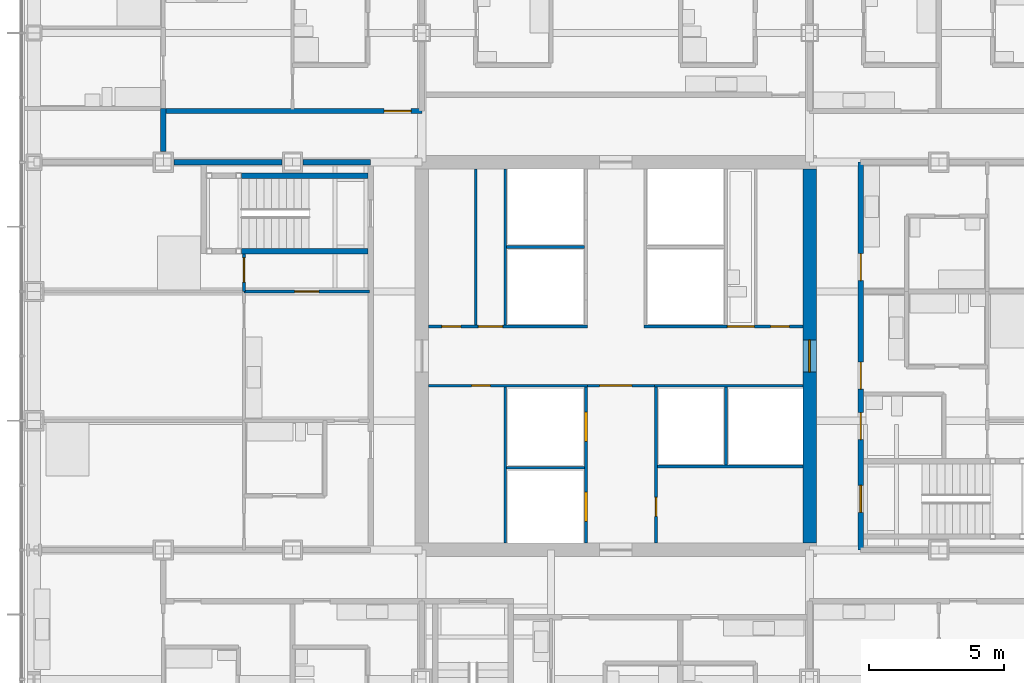
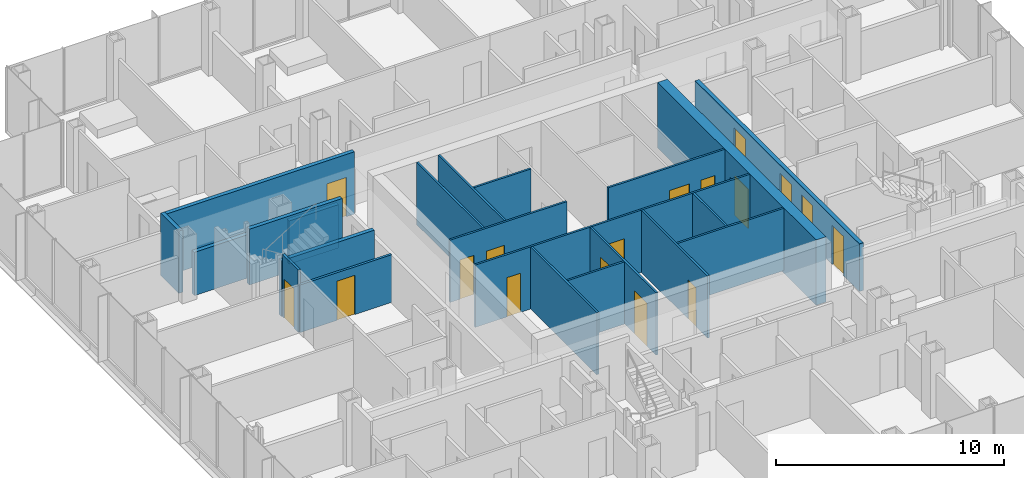
# One storey, part 15 of 21: 24 walls, 17 doors, 17 openings.
"""IFC4 building model written with IfcOpenShell, lengths in metres."""

from ifc_helpers import new_model, si_unit, direction, frame, frame_2d, origin, place, context, subcontext, project, spatial, rectangle, extrude, material, layer, layer_set, type_object, element, fill, save


model = new_model("IFC4")

# Units and contexts
model_context = context("Model", 3, precision=1e-05, world=origin(), true_north=direction((0.0, 1.0)))
body_context = subcontext(model_context, "Body", "Model", "MODEL_VIEW")
ifc_project = project(units=[si_unit("LENGTHUNIT", "METRE"), si_unit("AREAUNIT", "SQUARE_METRE"), si_unit("VOLUMEUNIT", "CUBIC_METRE"), si_unit("PLANEANGLEUNIT", "RADIAN"), si_unit("MASSUNIT", "GRAM", prefix="KILO")], contexts=[model_context])

# Site, building, storey
site_placement = place(None, origin())
site = spatial("IfcSite", under=ifc_project, at=site_placement, CompositionType="ELEMENT")
building_placement = place(site_placement, origin())
building = spatial("IfcBuilding", under=site, at=building_placement, Name="Kvirike Care Tower", CompositionType="ELEMENT")
storey_placement = place(building_placement, frame((0.0, 0.0, 41.0)))
storey = spatial("IfcBuildingStorey", under=building, at=storey_placement, Name="L10", CompositionType="ELEMENT", Elevation=41.0)

# Wall, opening, door
ifc_material_1 = material(Name="Concrete C60/75", Category="concrete")
ifc_layer_1 = layer(ifc_material_1, 0.5)
ifc_layer_set_1 = layer_set([ifc_layer_1], Name="CORE WALL 500 C60-75")
wall_type_1 = type_object("IfcWallType", Name="CORE WALL 500 C60-75", PredefinedType="SHEAR", material=ifc_layer_set_1)
wall_1_placement = place(storey_placement, frame((28.800048828125, 29.050048828125, -0.169921875), z_axis=(0.0, 0.0, 1.0), x_axis=(0.0, 1.0, 0.0)))
wall_1 = element("IfcWall", 1, at=wall_1_placement, inside=storey, type_object=wall_type_1, Name="Core wall E L10", PredefinedType="SHEAR", context=body_context, shape_type="SweptSolid", body=[
    extrude(rectangle(XDim=13.89990234375, YDim=0.5, at=frame_2d((6.949951171875, 0.0))), origin(), (0.0, 0.0, 1.0), 3.5),
])
opening_1_placement = place(wall_1_placement, frame((6.35009765625, 0.0, 0.169921875)))
opening_1 = element("IfcOpeningElement", 2, at=opening_1_placement, cuts=wall_1, Name="Opening 10-077", PredefinedType="OPENING", context=body_context, shape_type="SweptSolid", body=[
    extrude(rectangle(XDim=1.199951171875, YDim=2.10009765625, at=frame_2d((0.60009765625, 1.050048828125))), frame((0.0, 0.260498046875, 0.0), z_axis=(0.0, -1.0, 0.0), x_axis=(1.0, 0.0, 0.0)), (0.0, 0.0, 1.0), 0.52099609375),
])
ifc_material_2 = material(Name="Timber door set", Category="wood")
door_type_1 = type_object("IfcDoorType", Name="CORE DOOR 1200", OperationType="SINGLE_SWING_LEFT", PredefinedType="DOOR", material=ifc_material_2)
door_1_placement = place(opening_1_placement, origin())
door_1 = element("IfcDoor", 3, at=door_1_placement, inside=storey, type_object=door_type_1, Name="Core door E L10", OperationType="SINGLE_SWING_LEFT", OverallHeight=2.10009765625, OverallWidth=1.199951171875, PredefinedType="DOOR", context=body_context, shape_type="SweptSolid", body=[
    extrude(rectangle(XDim=1.199951171875, YDim=2.10009765625, at=frame_2d((0.60009765625, 1.050048828125))), frame((0.0, 0.02685546875, 0.0), z_axis=(0.0, -1.0, 0.0), x_axis=(1.0, 0.0, 0.0)), (0.0, 0.0, 1.0), 0.053955078125),
])
fill(opening_1, door_1)

ifc_material_3 = material(Name="Plasterboard corridor wall", Category="gypsum")
ifc_layer_2 = layer(ifc_material_3, 0.199951171875)
ifc_layer_set_2 = layer_set([ifc_layer_2], Name="CORRIDOR WALL 200")
wall_type_2 = type_object("IfcWallType", Name="CORRIDOR WALL 200", PredefinedType="PARTITIONING", material=ifc_layer_set_2)
wall_2_placement = place(storey_placement, frame((14.39990234375, 45.10009765625, 0.0), z_axis=(0.0, 0.0, 1.0), x_axis=(-1.0, 0.0, 0.0)))
wall_2 = element("IfcWall", 4, at=wall_2_placement, inside=storey, type_object=wall_type_2, Name="Corridor Wall 200 L10", PredefinedType="PARTITIONING", context=body_context, shape_type="SweptSolid", body=[
    extrude(rectangle(XDim=9.599853515625, YDim=0.199951171875, at=frame_2d((4.7998046875, 0.0))), origin(), (0.0, 0.0, 1.0), 3.330078125),
])
opening_2_placement = place(wall_2_placement, frame((0.39990234375, 0.0, 0.0)))
opening_2 = element("IfcOpeningElement", 5, at=opening_2_placement, cuts=wall_2, Name="Opening 10-023", PredefinedType="OPENING", context=body_context, shape_type="SweptSolid", body=[
    extrude(rectangle(XDim=1.0, YDim=2.10009765625, at=frame_2d((0.5, 1.050048828125))), frame((0.0, 0.110595703125, 0.0), z_axis=(0.0, -1.0, 0.0), x_axis=(1.0, 0.0, 0.0)), (0.0, 0.0, 1.0), 0.220947265625),
])
ifc_material_4 = material(Name="Timber door set", Category="wood")
door_type_2 = type_object("IfcDoorType", Name="FLAT ENTRANCE DOOR 1000", OperationType="SINGLE_SWING_LEFT", PredefinedType="DOOR", material=ifc_material_4)
door_2_placement = place(opening_2_placement, frame((1.0, 0.0, 0.0), z_axis=(0.0, 0.0, 1.0), x_axis=(-1.0, 0.0, 0.0)))
door_2 = element("IfcDoor", 6, at=door_2_placement, inside=storey, type_object=door_type_2, Name="Three-bedroom corner apartment entrance", OperationType="SINGLE_SWING_LEFT", OverallHeight=2.10009765625, OverallWidth=1.0, PredefinedType="DOOR", context=body_context, shape_type="SweptSolid", body=[
    extrude(rectangle(XDim=1.0, YDim=2.10009765625, at=frame_2d((0.5, 1.050048828125))), frame((0.0, 0.02685546875, 0.0), z_axis=(0.0, -1.0, 0.0), x_axis=(1.0, 0.0, 0.0)), (0.0, 0.0, 1.0), 0.053955078125),
])
fill(opening_2, door_2)

# Wall
wall_3_placement = place(storey_placement, frame((4.800048828125, 45.199951171875, 0.0), z_axis=(0.0, 0.0, 1.0), x_axis=(0.0, -1.0, 0.0)))
element("IfcWall", 7, at=wall_3_placement, inside=storey, type_object=wall_type_2, Name="Corridor Wall 200 L10", PredefinedType="PARTITIONING", context=body_context, shape_type="SweptSolid", body=[
    extrude(rectangle(XDim=1.60498046875, YDim=0.199951171875, at=frame_2d((0.802490234375, 0.0))), origin(), (0.0, 0.0, 1.0), 3.330078125),
])

# Wall, openings, doors
wall_4_placement = place(storey_placement, frame((30.699951171875, 28.800048828125, 0.0), z_axis=(0.0, 0.0, 1.0), x_axis=(0.0, 1.0, 0.0)))
wall_4 = element("IfcWall", 8, at=wall_4_placement, inside=storey, type_object=wall_type_2, Name="Corridor Wall 200 L10", PredefinedType="PARTITIONING", context=body_context, shape_type="SweptSolid", body=[
    extrude(rectangle(XDim=14.39990234375, YDim=0.199951171875, at=frame_2d((7.199951171875, 0.0))), origin(), (0.0, 0.0, 1.0), 2.550048828125),
])
opening_3_placement = place(wall_4_placement, frame((1.39990234375, 0.0, 0.0)))
opening_3 = element("IfcOpeningElement", 9, at=opening_3_placement, cuts=wall_4, Name="Opening 10-052", PredefinedType="OPENING", context=body_context, shape_type="SweptSolid", body=[
    extrude(rectangle(XDim=1.0, YDim=2.10009765625, at=frame_2d((0.5, 1.050048828125))), frame((0.0, 0.110595703125, 0.0), z_axis=(0.0, -1.0, 0.0), x_axis=(1.0, 0.0, 0.0)), (0.0, 0.0, 1.0), 0.220947265625),
])
opening_4_placement = place(wall_4_placement, frame((4.10009765625, 0.0, 0.0)))
opening_4 = element("IfcOpeningElement", 10, at=opening_4_placement, cuts=wall_4, Name="Opening 10-053", PredefinedType="OPENING", context=body_context, shape_type="SweptSolid", body=[
    extrude(rectangle(XDim=1.0, YDim=2.10009765625, at=frame_2d((0.5, 1.050048828125))), frame((0.0, 0.110595703125, 0.0), z_axis=(0.0, -1.0, 0.0), x_axis=(1.0, 0.0, 0.0)), (0.0, 0.0, 1.0), 0.220947265625),
])
opening_5_placement = place(wall_4_placement, frame((5.97509765625, 0.0, 0.0)))
opening_5 = element("IfcOpeningElement", 11, at=opening_5_placement, cuts=wall_4, Name="Opening 10-054", PredefinedType="OPENING", context=body_context, shape_type="SweptSolid", body=[
    extrude(rectangle(XDim=1.0, YDim=2.10009765625, at=frame_2d((0.5, 1.050048828125))), frame((0.0, 0.110595703125, 0.0), z_axis=(0.0, -1.0, 0.0), x_axis=(1.0, 0.0, 0.0)), (0.0, 0.0, 1.0), 0.220947265625),
])
opening_6_placement = place(wall_4_placement, frame((10.0, 0.0, 0.0)))
opening_6 = element("IfcOpeningElement", 12, at=opening_6_placement, cuts=wall_4, Name="Opening 10-055", PredefinedType="OPENING", context=body_context, shape_type="SweptSolid", body=[
    extrude(rectangle(XDim=1.0, YDim=2.10009765625, at=frame_2d((0.5, 1.050048828125))), frame((0.0, 0.110595703125, 0.0), z_axis=(0.0, -1.0, 0.0), x_axis=(1.0, 0.0, 0.0)), (0.0, 0.0, 1.0), 0.220947265625),
])
door_3_placement = place(opening_5_placement, frame((1.0, 0.0, 0.0), z_axis=(0.0, 0.0, 1.0), x_axis=(-1.0, 0.0, 0.0)))
door_3 = element("IfcDoor", 13, at=door_3_placement, inside=storey, type_object=door_type_2, Name="One-bedroom apartment entrance", OperationType="SINGLE_SWING_LEFT", OverallHeight=2.10009765625, OverallWidth=1.0, PredefinedType="DOOR", context=body_context, shape_type="SweptSolid", body=[
    extrude(rectangle(XDim=1.0, YDim=2.10009765625, at=frame_2d((0.5, 1.050048828125))), frame((0.0, 0.02685546875, 0.0), z_axis=(0.0, -1.0, 0.0), x_axis=(1.0, 0.0, 0.0)), (0.0, 0.0, 1.0), 0.053955078125),
])
fill(opening_5, door_3)
door_4_placement = place(opening_6_placement, frame((1.0, 0.0, 0.0), z_axis=(0.0, 0.0, 1.0), x_axis=(-1.0, 0.0, 0.0)))
door_4 = element("IfcDoor", 14, at=door_4_placement, inside=storey, type_object=door_type_2, Name="Studio apartment entrance", OperationType="SINGLE_SWING_LEFT", OverallHeight=2.10009765625, OverallWidth=1.0, PredefinedType="DOOR", context=body_context, shape_type="SweptSolid", body=[
    extrude(rectangle(XDim=1.0, YDim=2.10009765625, at=frame_2d((0.5, 1.050048828125))), frame((0.0, 0.02685546875, 0.0), z_axis=(0.0, -1.0, 0.0), x_axis=(1.0, 0.0, 0.0)), (0.0, 0.0, 1.0), 0.053955078125),
])
fill(opening_6, door_4)
ifc_material_5 = material(Name="Timber door set", Category="wood")
door_type_3 = type_object("IfcDoorType", Name="STAIR DOOR 1000", OperationType="SINGLE_SWING_LEFT", PredefinedType="DOOR", material=ifc_material_5)
door_5_placement = place(opening_3_placement, frame((1.0, 0.0, 0.0), z_axis=(0.0, 0.0, 1.0), x_axis=(-1.0, 0.0, 0.0)))
door_5 = element("IfcDoor", 15, at=door_5_placement, inside=storey, type_object=door_type_3, Name="Stair 2 door", OperationType="SINGLE_SWING_RIGHT", OverallHeight=2.10009765625, OverallWidth=1.0, PredefinedType="DOOR", context=body_context, shape_type="SweptSolid", body=[
    extrude(rectangle(XDim=1.0, YDim=2.10009765625, at=frame_2d((0.5, 1.050048828125))), frame((0.0, 0.031982421875, 0.0), z_axis=(0.0, -1.0, 0.0), x_axis=(1.0, 0.0, 0.0)), (0.0, 0.0, 1.0), 0.06396484375),
])
fill(opening_3, door_5)
ifc_material_6 = material(Name="Timber door set", Category="wood")
door_type_4 = type_object("IfcDoorType", Name="WC DOOR 1000", OperationType="SINGLE_SWING_LEFT", PredefinedType="DOOR", material=ifc_material_6)
door_6_placement = place(opening_4_placement, frame((1.0, 0.0, 0.0), z_axis=(0.0, 0.0, 1.0), x_axis=(-1.0, 0.0, 0.0)))
door_6 = element("IfcDoor", 16, at=door_6_placement, inside=storey, type_object=door_type_4, Name="Accessible WC door", OperationType="SINGLE_SWING_LEFT", OverallHeight=2.10009765625, OverallWidth=1.0, PredefinedType="DOOR", context=body_context, shape_type="SweptSolid", body=[
    extrude(rectangle(XDim=1.0, YDim=2.10009765625, at=frame_2d((0.5, 1.050048828125))), frame((0.0, 0.02685546875, 0.0), z_axis=(0.0, -1.0, 0.0), x_axis=(1.0, 0.0, 0.0)), (0.0, 0.0, 1.0), 0.053955078125),
])
fill(opening_4, door_6)

# Wall, opening, door
ifc_material_7 = material(Name="Plasterboard partition", Category="gypsum")
ifc_layer_3 = layer(ifc_material_7, 0.1201171875)
ifc_layer_set_3 = layer_set([ifc_layer_3], Name="PARTITION 120")
wall_type_3 = type_object("IfcWallType", Name="PARTITION 120", PredefinedType="PARTITIONING", material=ifc_layer_set_3)
wall_5_placement = place(storey_placement, frame((7.800048828125, 38.39990234375, 0.0), z_axis=(0.0, 0.0, 1.0), x_axis=(1.0, 0.0, 0.0)))
wall_5 = element("IfcWall", 17, at=wall_5_placement, inside=storey, type_object=wall_type_3, Name="Partition 120 L10", PredefinedType="PARTITIONING", context=body_context, shape_type="SweptSolid", body=[
    extrude(rectangle(XDim=4.64990234375, YDim=0.1201171875, at=frame_2d((2.324951171875, 0.0))), origin(), (0.0, 0.0, 1.0), 2.550048828125),
])
opening_7_placement = place(wall_5_placement, frame((1.875, 0.0, 0.0)))
opening_7 = element("IfcOpeningElement", 18, at=opening_7_placement, cuts=wall_5, Name="Opening 10-010", PredefinedType="OPENING", context=body_context, shape_type="SweptSolid", body=[
    extrude(rectangle(XDim=0.89990234375, YDim=2.10009765625, at=frame_2d((0.449951171875, 1.050048828125))), frame((0.0, 0.070556640625, 0.0), z_axis=(0.0, -1.0, 0.0), x_axis=(1.0, 0.0, 0.0)), (0.0, 0.0, 1.0), 0.14111328125),
])
ifc_material_8 = material(Name="Timber door set", Category="wood")
door_type_5 = type_object("IfcDoorType", Name="INTERNAL DOOR 900", OperationType="SINGLE_SWING_LEFT", PredefinedType="DOOR", material=ifc_material_8)
door_7_placement = place(opening_7_placement, origin())
door_7 = element("IfcDoor", 19, at=door_7_placement, inside=storey, type_object=door_type_5, Name="Hall door", OperationType="SINGLE_SWING_RIGHT", OverallHeight=2.10009765625, OverallWidth=0.89990234375, PredefinedType="DOOR", context=body_context, shape_type="SweptSolid", body=[
    extrude(rectangle(XDim=0.89990234375, YDim=2.10009765625, at=frame_2d((0.449951171875, 1.050048828125))), frame((0.0, 0.02197265625, 0.0), z_axis=(0.0, -1.0, 0.0), x_axis=(1.0, 0.0, 0.0)), (0.0, 0.0, 1.0), 0.0439453125),
])
fill(opening_7, door_7)

wall_6_placement = place(storey_placement, frame((7.800048828125, 39.800048828125, 0.0), z_axis=(0.0, 0.0, 1.0), x_axis=(0.0, -1.0, 0.0)))
wall_6 = element("IfcWall", 20, at=wall_6_placement, inside=storey, type_object=wall_type_3, Name="Partition 120 L10", PredefinedType="PARTITIONING", context=body_context, shape_type="SweptSolid", body=[
    extrude(rectangle(XDim=1.400146484375, YDim=0.1201171875, at=frame_2d((0.7001953125, 0.0))), origin(), (0.0, 0.0, 1.0), 3.330078125),
])
opening_8_placement = place(wall_6_placement, frame((0.14990234375, 0.0, 0.0)))
opening_8 = element("IfcOpeningElement", 21, at=opening_8_placement, cuts=wall_6, Name="Opening 10-012", PredefinedType="OPENING", context=body_context, shape_type="SweptSolid", body=[
    extrude(rectangle(XDim=0.89990234375, YDim=2.10009765625, at=frame_2d((0.449951171875, 1.050048828125))), frame((0.0, 0.070556640625, 0.0), z_axis=(0.0, -1.0, 0.0), x_axis=(1.0, 0.0, 0.0)), (0.0, 0.0, 1.0), 0.14111328125),
])
door_8_placement = place(opening_8_placement, origin())
door_8 = element("IfcDoor", 22, at=door_8_placement, inside=storey, type_object=door_type_5, Name="Apartment bedroom door", OperationType="SINGLE_SWING_RIGHT", OverallHeight=2.10009765625, OverallWidth=0.89990234375, PredefinedType="DOOR", context=body_context, shape_type="SweptSolid", body=[
    extrude(rectangle(XDim=0.89990234375, YDim=2.10009765625, at=frame_2d((0.449951171875, 1.050048828125))), frame((0.0, 0.02197265625, 0.0), z_axis=(0.0, -1.0, 0.0), x_axis=(1.0, 0.0, 0.0)), (0.0, 0.0, 1.0), 0.0439453125),
])
fill(opening_8, door_8)

# Walls
ifc_material_9 = material(Name="Plasterboard party wall", Category="gypsum")
ifc_layer_4 = layer(ifc_material_9, 0.199951171875)
ifc_layer_set_4 = layer_set([ifc_layer_4], Name="PARTY WALL 200")
wall_type_4 = type_object("IfcWallType", Name="PARTY WALL 200", PredefinedType="PARTITIONING", material=ifc_layer_set_4)
wall_7_placement = place(storey_placement, frame((12.5, 43.199951171875, 0.0), z_axis=(0.0, 0.0, 1.0), x_axis=(-1.0, 0.0, 0.0)))
element("IfcWall", 23, at=wall_7_placement, inside=storey, type_object=wall_type_4, Name="Party Wall 200 L10", PredefinedType="PARTITIONING", context=body_context, shape_type="SweptSolid", body=[
    extrude(rectangle(XDim=2.5048828125, YDim=0.199951171875, at=frame_2d((1.25244140625, 0.0))), origin(), (0.0, 0.0, 1.0), 2.320068359375),
])
wall_8_placement = place(storey_placement, frame((9.205078125, 43.199951171875, 0.0), z_axis=(0.0, 0.0, 1.0), x_axis=(-1.0, 0.0, 0.0)))
element("IfcWall", 24, at=wall_8_placement, inside=storey, type_object=wall_type_4, Name="Party Wall 200 L10", PredefinedType="PARTITIONING", context=body_context, shape_type="SweptSolid", body=[
    extrude(rectangle(XDim=4.010009765625, YDim=0.199951171875, at=frame_2d((2.0048828125, 0.0))), origin(), (0.0, 0.0, 1.0), 2.320068359375),
])
ifc_material_10 = material(Name="Gypsum shaft wall system", Category="gypsum")
ifc_layer_5 = layer(ifc_material_10, 0.10009765625)
ifc_layer_set_5 = layer_set([ifc_layer_5], Name="SHAFT WALL 100")
wall_type_5 = type_object("IfcWallType", Name="SHAFT WALL 100", PredefinedType="SOLIDWALL", material=ifc_layer_set_5)
wall_9_placement = place(storey_placement, frame((16.39990234375, 37.14990234375, 0.0), z_axis=(0.0, 0.0, 1.0), x_axis=(0.0, 1.0, 0.0)))
element("IfcWall", 25, at=wall_9_placement, inside=storey, type_object=wall_type_5, Name="Shaft Wall 100 L10", PredefinedType="SOLIDWALL", context=body_context, shape_type="SweptSolid", body=[
    extrude(rectangle(XDim=5.800048828125, YDim=0.10009765625, at=frame_2d((2.89990234375, 0.0))), origin(), (0.0, 0.0, 1.0), 3.330078125),
])

# Wall, openings, doors
wall_10_placement = place(storey_placement, frame((20.5, 29.050048828125, 0.0), z_axis=(0.0, 0.0, 1.0), x_axis=(0.0, 1.0, 0.0)))
wall_10 = element("IfcWall", 26, at=wall_10_placement, inside=storey, type_object=wall_type_5, Name="Shaft Wall 100 L10", PredefinedType="SOLIDWALL", context=body_context, shape_type="SweptSolid", body=[
    extrude(rectangle(XDim=5.800048828125, YDim=0.10009765625, at=frame_2d((2.89990234375, 0.0))), origin(), (0.0, 0.0, 1.0), 3.330078125),
])
opening_9_placement = place(wall_10_placement, frame((0.800048828125, 0.0, 0.0)))
opening_9 = element("IfcOpeningElement", 27, at=opening_9_placement, cuts=wall_10, Name="Opening 10-064", PredefinedType="OPENING", context=body_context, shape_type="SweptSolid", body=[
    extrude(rectangle(XDim=1.10009765625, YDim=2.300048828125, at=frame_2d((0.550048828125, 1.14990234375))), frame((0.0, 0.060546875, 0.0), z_axis=(0.0, -1.0, 0.0), x_axis=(1.0, 0.0, 0.0)), (0.0, 0.0, 1.0), 0.12109375),
])
opening_10_placement = place(wall_10_placement, frame((3.77490234375, 0.0, 0.0)))
opening_10 = element("IfcOpeningElement", 28, at=opening_10_placement, cuts=wall_10, Name="Opening 10-065", PredefinedType="OPENING", context=body_context, shape_type="SweptSolid", body=[
    extrude(rectangle(XDim=1.10009765625, YDim=2.300048828125, at=frame_2d((0.550048828125, 1.14990234375))), frame((0.0, 0.060546875, 0.0), z_axis=(0.0, -1.0, 0.0), x_axis=(1.0, 0.0, 0.0)), (0.0, 0.0, 1.0), 0.12109375),
])
ifc_material_11 = material(Name="Aluminium door frame", Category="aluminium")
door_type_6 = type_object("IfcDoorType", Name="FIRE-FIGHTING LIFT LANDING DOOR 1100", OperationType="SLIDING_TO_LEFT", PredefinedType="DOOR", material=ifc_material_11)
door_9_placement = place(opening_9_placement, origin())
door_9 = element("IfcDoor", 29, at=door_9_placement, inside=storey, type_object=door_type_6, Name="Lift FF1 landing door", OperationType="SLIDING_TO_LEFT", OverallHeight=2.300048828125, OverallWidth=1.10009765625, PredefinedType="DOOR", context=body_context, shape_type="SweptSolid", body=[
    extrude(rectangle(XDim=1.10009765625, YDim=2.300048828125, at=frame_2d((0.550048828125, 1.14990234375))), frame((0.0, 0.0498046875, 0.0), z_axis=(0.0, -1.0, 0.0), x_axis=(1.0, 0.0, 0.0)), (0.0, 0.0, 1.0), 0.099609375),
])
fill(opening_9, door_9)
door_10_placement = place(opening_10_placement, origin())
door_10 = element("IfcDoor", 30, at=door_10_placement, inside=storey, type_object=door_type_6, Name="Lift FF2 landing door", OperationType="SLIDING_TO_LEFT", OverallHeight=2.300048828125, OverallWidth=1.10009765625, PredefinedType="DOOR", context=body_context, shape_type="SweptSolid", body=[
    extrude(rectangle(XDim=1.10009765625, YDim=2.300048828125, at=frame_2d((0.550048828125, 1.14990234375))), frame((0.0, 0.0498046875, 0.0), z_axis=(0.0, -1.0, 0.0), x_axis=(1.0, 0.0, 0.0)), (0.0, 0.0, 1.0), 0.099609375),
])
fill(opening_10, door_10)

# Wall, opening, door
wall_11_placement = place(storey_placement, frame((23.10009765625, 29.050048828125, 0.0), z_axis=(0.0, 0.0, 1.0), x_axis=(0.0, 1.0, 0.0)))
wall_11 = element("IfcWall", 31, at=wall_11_placement, inside=storey, type_object=wall_type_5, Name="Shaft Wall 100 L10", PredefinedType="SOLIDWALL", context=body_context, shape_type="SweptSolid", body=[
    extrude(rectangle(XDim=5.800048828125, YDim=0.10009765625, at=frame_2d((2.89990234375, 0.0))), origin(), (0.0, 0.0, 1.0), 3.330078125),
])
opening_11_placement = place(wall_11_placement, frame((1.0, 0.0, 0.0)))
opening_11 = element("IfcOpeningElement", 32, at=opening_11_placement, cuts=wall_11, Name="Opening 10-068", PredefinedType="OPENING", context=body_context, shape_type="SweptSolid", body=[
    extrude(rectangle(XDim=0.699951171875, YDim=2.10009765625, at=frame_2d((0.35009765625, 1.050048828125))), frame((0.0, 0.060546875, 0.0), z_axis=(0.0, -1.0, 0.0), x_axis=(1.0, 0.0, 0.0)), (0.0, 0.0, 1.0), 0.12109375),
])
ifc_material_12 = material(Name="Timber door set", Category="wood")
door_type_7 = type_object("IfcDoorType", Name="RISER DOOR 700", OperationType="SINGLE_SWING_LEFT", PredefinedType="DOOR", material=ifc_material_12)
door_11_placement = place(opening_11_placement, origin())
door_11 = element("IfcDoor", 33, at=door_11_placement, inside=storey, type_object=door_type_7, Name="Riser door", OperationType="SINGLE_SWING_RIGHT", OverallHeight=2.10009765625, OverallWidth=0.699951171875, PredefinedType="DOOR", context=body_context, shape_type="SweptSolid", body=[
    extrude(rectangle(XDim=0.699951171875, YDim=2.10009765625, at=frame_2d((0.35009765625, 1.050048828125))), frame((0.0, 0.02685546875, 0.0), z_axis=(0.0, -1.0, 0.0), x_axis=(1.0, 0.0, 0.0)), (0.0, 0.0, 1.0), 0.053955078125),
])
fill(opening_11, door_11)

wall_12_placement = place(storey_placement, frame((14.64990234375, 34.89990234375, 0.0), z_axis=(0.0, 0.0, 1.0), x_axis=(1.0, 0.0, 0.0)))
wall_12 = element("IfcWall", 34, at=wall_12_placement, inside=storey, type_object=wall_type_5, Name="Shaft Wall 100 L10", PredefinedType="SOLIDWALL", context=body_context, shape_type="SweptSolid", body=[
    extrude(rectangle(XDim=5.900146484375, YDim=0.10009765625, at=frame_2d((2.9501953125, 0.0))), origin(), (0.0, 0.0, 1.0), 3.330078125),
])
opening_12_placement = place(wall_12_placement, frame((1.60009765625, 0.0, 0.0)))
opening_12 = element("IfcOpeningElement", 35, at=opening_12_placement, cuts=wall_12, Name="Opening 10-069", PredefinedType="OPENING", context=body_context, shape_type="SweptSolid", body=[
    extrude(rectangle(XDim=0.699951171875, YDim=2.10009765625, at=frame_2d((0.35009765625, 1.050048828125))), frame((0.0, 0.060546875, 0.0), z_axis=(0.0, -1.0, 0.0), x_axis=(1.0, 0.0, 0.0)), (0.0, 0.0, 1.0), 0.12109375),
])
door_12_placement = place(opening_12_placement, frame((0.699951171875, 0.0, 0.0), z_axis=(0.0, 0.0, 1.0), x_axis=(-1.0, 0.0, 0.0)))
door_12 = element("IfcDoor", 36, at=door_12_placement, inside=storey, type_object=door_type_7, Name="Riser door", OperationType="SINGLE_SWING_RIGHT", OverallHeight=2.10009765625, OverallWidth=0.699951171875, PredefinedType="DOOR", context=body_context, shape_type="SweptSolid", body=[
    extrude(rectangle(XDim=0.699951171875, YDim=2.10009765625, at=frame_2d((0.35009765625, 1.050048828125))), frame((0.0, 0.02685546875, 0.0), z_axis=(0.0, -1.0, 0.0), x_axis=(1.0, 0.0, 0.0)), (0.0, 0.0, 1.0), 0.053955078125),
])
fill(opening_12, door_12)

# Wall
wall_13_placement = place(storey_placement, frame((23.050048828125, 34.89990234375, 0.0), z_axis=(0.0, 0.0, 1.0), x_axis=(1.0, 0.0, 0.0)))
element("IfcWall", 37, at=wall_13_placement, inside=storey, type_object=wall_type_5, Name="Shaft Wall 100 L10", PredefinedType="SOLIDWALL", context=body_context, shape_type="SweptSolid", body=[
    extrude(rectangle(XDim=5.5, YDim=0.10009765625, at=frame_2d((2.75, 0.0))), origin(), (0.0, 0.0, 1.0), 3.330078125),
])

# Wall, openings, doors
wall_14_placement = place(storey_placement, frame((14.64990234375, 37.10009765625, 0.0), z_axis=(0.0, 0.0, 1.0), x_axis=(1.0, 0.0, 0.0)))
wall_14 = element("IfcWall", 38, at=wall_14_placement, inside=storey, type_object=wall_type_5, Name="Shaft Wall 100 L10", PredefinedType="SOLIDWALL", context=body_context, shape_type="SweptSolid", body=[
    extrude(rectangle(XDim=5.900146484375, YDim=0.10009765625, at=frame_2d((2.9501953125, 0.0))), origin(), (0.0, 0.0, 1.0), 3.330078125),
])
opening_13_placement = place(wall_14_placement, frame((0.5, 0.0, 0.0)))
opening_13 = element("IfcOpeningElement", 39, at=opening_13_placement, cuts=wall_14, Name="Opening 10-070", PredefinedType="OPENING", context=body_context, shape_type="SweptSolid", body=[
    extrude(rectangle(XDim=0.699951171875, YDim=2.10009765625, at=frame_2d((0.35009765625, 1.050048828125))), frame((0.0, 0.060546875, 0.0), z_axis=(0.0, -1.0, 0.0), x_axis=(1.0, 0.0, 0.0)), (0.0, 0.0, 1.0), 0.12109375),
])
opening_14_placement = place(wall_14_placement, frame((1.85009765625, 0.0, 0.0)))
opening_14 = element("IfcOpeningElement", 40, at=opening_14_placement, cuts=wall_14, Name="Opening 10-071", PredefinedType="OPENING", context=body_context, shape_type="SweptSolid", body=[
    extrude(rectangle(XDim=0.89990234375, YDim=2.10009765625, at=frame_2d((0.449951171875, 1.050048828125))), frame((0.0, 0.060546875, 0.0), z_axis=(0.0, -1.0, 0.0), x_axis=(1.0, 0.0, 0.0)), (0.0, 0.0, 1.0), 0.12109375),
])
door_13_placement = place(opening_13_placement, origin())
door_13 = element("IfcDoor", 41, at=door_13_placement, inside=storey, type_object=door_type_7, Name="Riser door", OperationType="SINGLE_SWING_RIGHT", OverallHeight=2.10009765625, OverallWidth=0.699951171875, PredefinedType="DOOR", context=body_context, shape_type="SweptSolid", body=[
    extrude(rectangle(XDim=0.699951171875, YDim=2.10009765625, at=frame_2d((0.35009765625, 1.050048828125))), frame((0.0, 0.02685546875, 0.0), z_axis=(0.0, -1.0, 0.0), x_axis=(1.0, 0.0, 0.0)), (0.0, 0.0, 1.0), 0.053955078125),
])
fill(opening_13, door_13)
ifc_material_13 = material(Name="Timber door set", Category="wood")
door_type_8 = type_object("IfcDoorType", Name="STORE DOOR 900", OperationType="SINGLE_SWING_LEFT", PredefinedType="DOOR", material=ifc_material_13)
door_14_placement = place(opening_14_placement, origin())
door_14 = element("IfcDoor", 42, at=door_14_placement, inside=storey, type_object=door_type_8, Name="Housekeeping store door", OperationType="SINGLE_SWING_LEFT", OverallHeight=2.10009765625, OverallWidth=0.89990234375, PredefinedType="DOOR", context=body_context, shape_type="SweptSolid", body=[
    extrude(rectangle(XDim=0.89990234375, YDim=2.10009765625, at=frame_2d((0.449951171875, 1.050048828125))), frame((0.0, 0.02685546875, 0.0), z_axis=(0.0, -1.0, 0.0), x_axis=(1.0, 0.0, 0.0)), (0.0, 0.0, 1.0), 0.053955078125),
])
fill(opening_14, door_14)

wall_15_placement = place(storey_placement, frame((22.64990234375, 37.10009765625, 0.0), z_axis=(0.0, 0.0, 1.0), x_axis=(1.0, 0.0, 0.0)))
wall_15 = element("IfcWall", 43, at=wall_15_placement, inside=storey, type_object=wall_type_5, Name="Shaft Wall 100 L10", PredefinedType="SOLIDWALL", context=body_context, shape_type="SweptSolid", body=[
    extrude(rectangle(XDim=5.900146484375, YDim=0.10009765625, at=frame_2d((2.9501953125, 0.0))), origin(), (0.0, 0.0, 1.0), 3.330078125),
])
opening_15_placement = place(wall_15_placement, frame((3.10009765625, 0.0, 0.0)))
opening_15 = element("IfcOpeningElement", 44, at=opening_15_placement, cuts=wall_15, Name="Opening 10-072", PredefinedType="OPENING", context=body_context, shape_type="SweptSolid", body=[
    extrude(rectangle(XDim=1.0, YDim=2.10009765625, at=frame_2d((0.5, 1.050048828125))), frame((0.0, 0.060546875, 0.0), z_axis=(0.0, -1.0, 0.0), x_axis=(1.0, 0.0, 0.0)), (0.0, 0.0, 1.0), 0.12109375),
])
opening_16_placement = place(wall_15_placement, frame((4.699951171875, 0.0, 0.0)))
opening_16 = element("IfcOpeningElement", 45, at=opening_16_placement, cuts=wall_15, Name="Opening 10-073", PredefinedType="OPENING", context=body_context, shape_type="SweptSolid", body=[
    extrude(rectangle(XDim=0.699951171875, YDim=2.10009765625, at=frame_2d((0.35009765625, 1.050048828125))), frame((0.0, 0.060546875, 0.0), z_axis=(0.0, -1.0, 0.0), x_axis=(1.0, 0.0, 0.0)), (0.0, 0.0, 1.0), 0.12109375),
])
door_15_placement = place(opening_16_placement, origin())
door_15 = element("IfcDoor", 46, at=door_15_placement, inside=storey, type_object=door_type_7, Name="Riser door", OperationType="SINGLE_SWING_LEFT", OverallHeight=2.10009765625, OverallWidth=0.699951171875, PredefinedType="DOOR", context=body_context, shape_type="SweptSolid", body=[
    extrude(rectangle(XDim=0.699951171875, YDim=2.10009765625, at=frame_2d((0.35009765625, 1.050048828125))), frame((0.0, 0.02685546875, 0.0), z_axis=(0.0, -1.0, 0.0), x_axis=(1.0, 0.0, 0.0)), (0.0, 0.0, 1.0), 0.053955078125),
])
fill(opening_16, door_15)
door_16_placement = place(opening_15_placement, origin())
door_16 = element("IfcDoor", 47, at=door_16_placement, inside=storey, type_object=door_type_4, Name="Staff WC door", OperationType="SINGLE_SWING_RIGHT", OverallHeight=2.10009765625, OverallWidth=1.0, PredefinedType="DOOR", context=body_context, shape_type="SweptSolid", body=[
    extrude(rectangle(XDim=1.0, YDim=2.10009765625, at=frame_2d((0.5, 1.050048828125))), frame((0.0, 0.02685546875, 0.0), z_axis=(0.0, -1.0, 0.0), x_axis=(1.0, 0.0, 0.0)), (0.0, 0.0, 1.0), 0.053955078125),
])
fill(opening_15, door_16)

# Wall, opening, door
wall_16_placement = place(storey_placement, frame((20.550048828125, 34.89990234375, 0.0), z_axis=(0.0, 0.0, 1.0), x_axis=(1.0, 0.0, 0.0)))
wall_16 = element("IfcWall", 48, at=wall_16_placement, inside=storey, type_object=wall_type_5, Name="Shaft Wall 100 L10", PredefinedType="SOLIDWALL", context=body_context, shape_type="SweptSolid", body=[
    extrude(rectangle(XDim=2.5, YDim=0.10009765625, at=frame_2d((1.25, 0.0))), origin(), (0.0, 0.0, 1.0), 3.330078125),
])
opening_17_placement = place(wall_16_placement, frame((0.449951171875, 0.0, 0.0)))
opening_17 = element("IfcOpeningElement", 49, at=opening_17_placement, cuts=wall_16, Name="Opening 10-074", PredefinedType="OPENING", context=body_context, shape_type="SweptSolid", body=[
    extrude(rectangle(XDim=1.199951171875, YDim=2.10009765625, at=frame_2d((0.60009765625, 1.050048828125))), frame((0.0, 0.060546875, 0.0), z_axis=(0.0, -1.0, 0.0), x_axis=(1.0, 0.0, 0.0)), (0.0, 0.0, 1.0), 0.12109375),
])
door_17_placement = place(opening_17_placement, frame((1.199951171875, 0.0, 0.0), z_axis=(0.0, 0.0, 1.0), x_axis=(-1.0, 0.0, 0.0)))
door_17 = element("IfcDoor", 50, at=door_17_placement, inside=storey, type_object=door_type_1, Name="Fire-fighting lobby door", OperationType="SINGLE_SWING_LEFT", OverallHeight=2.10009765625, OverallWidth=1.199951171875, PredefinedType="DOOR", context=body_context, shape_type="SweptSolid", body=[
    extrude(rectangle(XDim=1.199951171875, YDim=2.10009765625, at=frame_2d((0.60009765625, 1.050048828125))), frame((0.0, 0.02685546875, 0.0), z_axis=(0.0, -1.0, 0.0), x_axis=(1.0, 0.0, 0.0)), (0.0, 0.0, 1.0), 0.053955078125),
])
fill(opening_17, door_17)

# Walls
wall_17_placement = place(storey_placement, frame((17.5, 29.050048828125, 0.0), z_axis=(0.0, 0.0, 1.0), x_axis=(0.0, 1.0, 0.0)))
element("IfcWall", 51, at=wall_17_placement, inside=storey, type_object=wall_type_5, Name="Shaft Wall 100 L10", PredefinedType="SOLIDWALL", context=body_context, shape_type="SweptSolid", body=[
    extrude(rectangle(XDim=5.800048828125, YDim=0.10009765625, at=frame_2d((2.89990234375, 0.0))), origin(), (0.0, 0.0, 1.0), 3.330078125),
])
wall_18_placement = place(storey_placement, frame((17.550048828125, 31.85009765625, 0.0), z_axis=(0.0, 0.0, 1.0), x_axis=(1.0, 0.0, 0.0)))
element("IfcWall", 52, at=wall_18_placement, inside=storey, type_object=wall_type_5, Name="Shaft Wall 100 L10", PredefinedType="SOLIDWALL", context=body_context, shape_type="SweptSolid", body=[
    extrude(rectangle(XDim=2.89990234375, YDim=0.10009765625, at=frame_2d((1.449951171875, 0.0))), origin(), (0.0, 0.0, 1.0), 3.330078125),
])
wall_19_placement = place(storey_placement, frame((17.5, 37.14990234375, 0.0), z_axis=(0.0, 0.0, 1.0), x_axis=(0.0, 1.0, 0.0)))
element("IfcWall", 53, at=wall_19_placement, inside=storey, type_object=wall_type_5, Name="Shaft Wall 100 L10", PredefinedType="SOLIDWALL", context=body_context, shape_type="SweptSolid", body=[
    extrude(rectangle(XDim=5.800048828125, YDim=0.10009765625, at=frame_2d((2.89990234375, 0.0))), origin(), (0.0, 0.0, 1.0), 3.330078125),
])
wall_20_placement = place(storey_placement, frame((17.550048828125, 40.050048828125, 0.0), z_axis=(0.0, 0.0, 1.0), x_axis=(1.0, 0.0, 0.0)))
element("IfcWall", 54, at=wall_20_placement, inside=storey, type_object=wall_type_5, Name="Shaft Wall 100 L10", PredefinedType="SOLIDWALL", context=body_context, shape_type="SweptSolid", body=[
    extrude(rectangle(XDim=2.89990234375, YDim=0.10009765625, at=frame_2d((1.449951171875, 0.0))), origin(), (0.0, 0.0, 1.0), 3.330078125),
])
wall_21_placement = place(storey_placement, frame((25.699951171875, 31.949951171875, 0.0), z_axis=(0.0, 0.0, 1.0), x_axis=(0.0, 1.0, 0.0)))
element("IfcWall", 55, at=wall_21_placement, inside=storey, type_object=wall_type_5, Name="Shaft Wall 100 L10", PredefinedType="SOLIDWALL", context=body_context, shape_type="SweptSolid", body=[
    extrude(rectangle(XDim=2.900146484375, YDim=0.10009765625, at=frame_2d((1.4501953125, 0.0))), origin(), (0.0, 0.0, 1.0), 3.330078125),
])
wall_22_placement = place(storey_placement, frame((23.14990234375, 31.89990234375, 0.0), z_axis=(0.0, 0.0, 1.0), x_axis=(1.0, 0.0, 0.0)))
element("IfcWall", 56, at=wall_22_placement, inside=storey, type_object=wall_type_5, Name="Shaft Wall 100 L10", PredefinedType="SOLIDWALL", context=body_context, shape_type="SweptSolid", body=[
    extrude(rectangle(XDim=5.400146484375, YDim=0.10009765625, at=frame_2d((2.7001953125, 0.0))), origin(), (0.0, 0.0, 1.0), 3.330078125),
])
ifc_material_14 = material(Name="Concrete C40/50", Category="concrete")
ifc_layer_6 = layer(ifc_material_14, 0.199951171875)
ifc_layer_set_6 = layer_set([ifc_layer_6], Name="STAIR WALL 200")
wall_type_6 = type_object("IfcWallType", Name="STAIR WALL 200", PredefinedType="SOLIDWALL", material=ifc_layer_set_6)
for number, where, z_axis, x_axis, name in (
    (57, (7.699951171875, 42.699951171875, 0.0), (0.0, 0.0, 1.0), (1.0, 0.0, 0.0), "Stair Wall 200 L10"),
    (58, (7.699951171875, 39.89990234375, 0.0), (0.0, 0.0, 1.0), (1.0, 0.0, 0.0), "Stair Wall 200 L10"),
):
    element("IfcWall", number, at=place(storey_placement, frame(where, z_axis=z_axis, x_axis=x_axis)), inside=storey, type_object=wall_type_6, Name=name, PredefinedType="SOLIDWALL", context=body_context, shape_type="SweptSolid", body=[
        extrude(rectangle(XDim=4.699951171875, YDim=0.199951171875, at=frame_2d((2.35009765625, 0.0))), origin(), (0.0, 0.0, 1.0), 2.989990234375),
    ])

save(model, "model.ifc")
